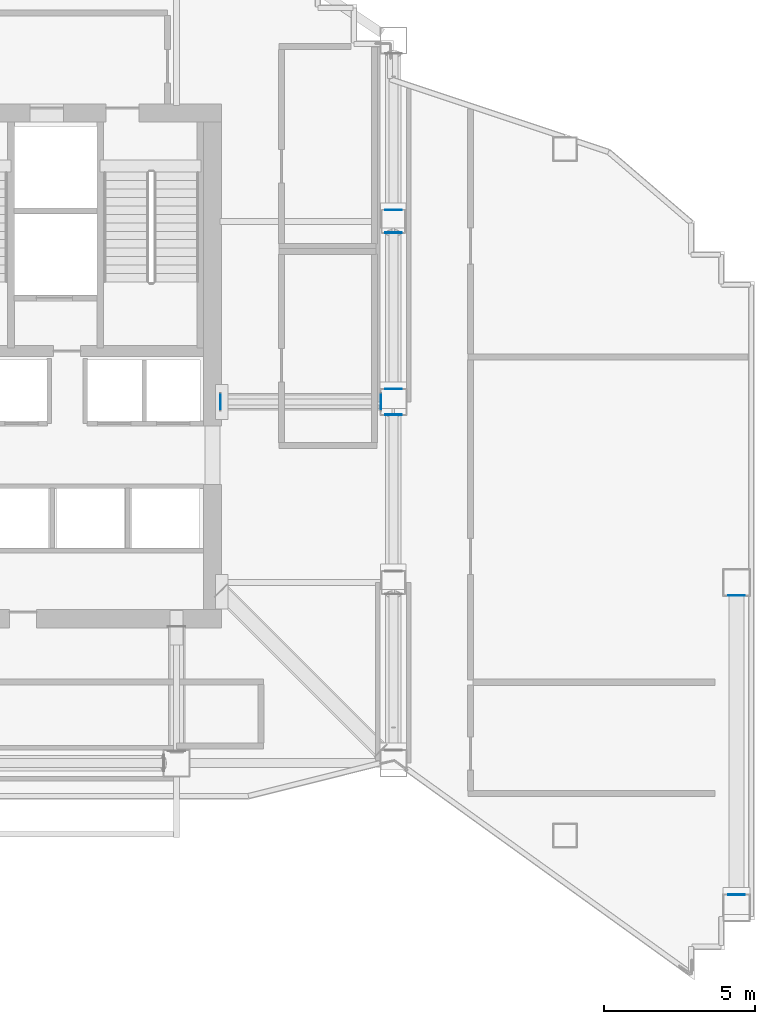
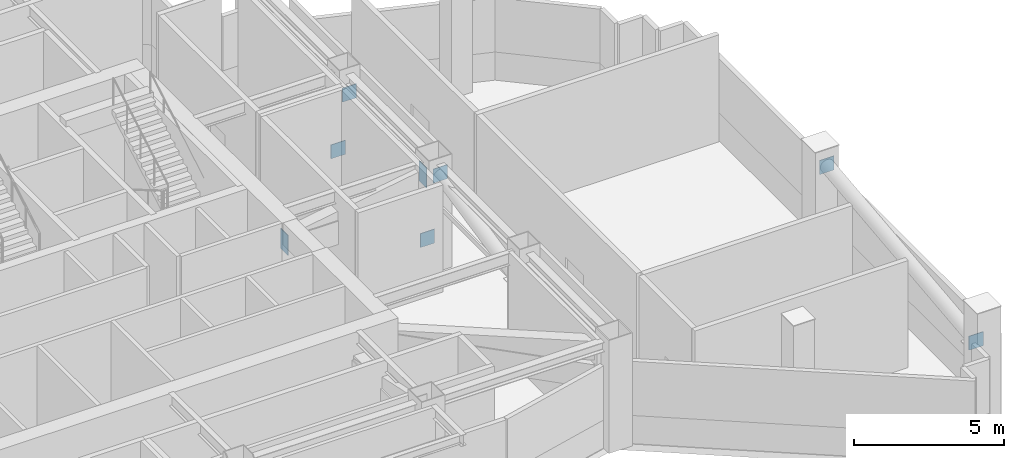
# One storey, part 10 of 19: 8 plates.
"""IFC4 building model written with IfcOpenShell, lengths in metres."""

from ifc_helpers import new_model, si_unit, direction, frame, origin, origin_2d, place, context, subcontext, project, spatial, rectangle, extrude, material, layer, layer_set, type_object, element, save


model = new_model("IFC4")

# Units and contexts
model_context = context("Model", 3, precision=1e-05, world=origin(), true_north=direction((0.0, 1.0)))
body_context = subcontext(model_context, "Body", "Model", "MODEL_VIEW")
ifc_project = project(units=[si_unit("LENGTHUNIT", "METRE"), si_unit("AREAUNIT", "SQUARE_METRE"), si_unit("VOLUMEUNIT", "CUBIC_METRE"), si_unit("PLANEANGLEUNIT", "RADIAN"), si_unit("MASSUNIT", "GRAM", prefix="KILO")], contexts=[model_context])

# Site, building, storey
site_placement = place(None, origin())
site = spatial("IfcSite", under=ifc_project, at=site_placement, CompositionType="ELEMENT")
building_placement = place(site_placement, origin())
building = spatial("IfcBuilding", under=site, at=building_placement, Name="Haolan Belvedere Tower", CompositionType="ELEMENT")
storey_placement = place(building_placement, frame((0.0, 0.0, 230.60009765625)))
storey = spatial("IfcBuildingStorey", under=building, at=storey_placement, Name="L58", CompositionType="ELEMENT", Elevation=230.60009765625)

# Plates
ifc_material = material(Name="Steel Q355B", Category="steel")
ifc_layer = layer(ifc_material, 0.02490234375, Name="Steel Q355B")
ifc_layer_set = layer_set([ifc_layer], Name="Steel Q355B")
plate_type = type_object("IfcPlateType", Name="PL-CAP-25", PredefinedType="SHEET", material=ifc_layer_set)
for number, where, z_axis, x_axis, name in (
    (1, (47.0576171875, 33.60009765625, 2.512939453125), (0.0, 0.0, 1.0), (0.0, -1.0, 0.0), "Hollow steel end-cap plate OR-E1-L58-DG-CAP0"),
    (2, (52.392333984375, 33.60009765625, 3.386962890625), (0.0, 0.0, 1.0), (0.0, 1.0, 0.0), "Hollow steel end-cap plate OR-E1-L58-DG-CAP1"),
):
    element("IfcPlate", number, at=place(storey_placement, frame(where, z_axis=z_axis, x_axis=x_axis)), inside=storey, type_object=plate_type, Name=name, PredefinedType="SHEET", context=body_context, shape_type="SweptSolid", body=[
        extrude(rectangle(XDim=0.489990234375, YDim=0.02490234375, at=origin_2d()), origin(), (0.0, 0.0, 1.0), 0.81005859375),
    ])
for number, where, z_axis, x_axis, name in (
    (3, (52.800048828125, 33.172119140625, 3.6484375), (0.0, 0.0, 1.0), (-1.0, 0.0, 0.0), "Hollow steel end-cap plate BT-E2-L58-CAP1"),
    (4, (52.800048828125, 34.029052734375, 0.509765625), (0.0, 0.0, 1.0), (1.0, 0.0, 0.0), "Hollow steel end-cap plate BT-E3-L58-CAP0"),
    (5, (52.800048828125, 39.220947265625, 3.271484375), (0.0, 0.0, 1.0), (-1.0, 0.0, 0.0), "Hollow steel end-cap plate BT-E3-L58-CAP1"),
    (6, (52.800048828125, 39.97900390625, 0.509765625), (0.0, 0.0, 1.0), (1.0, 0.0, 0.0), "Hollow steel end-cap plate BT-E4-L58-CAP0"),
    (7, (64.199951171875, 17.2275390625, 2.53466796875), (0.0, 0.0, 1.0), (1.0, 0.0, 0.0), "Hollow steel end-cap plate BT-T4-L58-CAP0"),
    (8, (64.199951171875, 27.17236328125, 3.6474609375), (0.0, 0.0, 1.0), (-1.0, 0.0, 0.0), "Hollow steel end-cap plate BT-T4-L58-CAP1"),
):
    element("IfcPlate", number, at=place(storey_placement, frame(where, z_axis=z_axis, x_axis=x_axis)), inside=storey, type_object=plate_type, Name=name, PredefinedType="SHEET", context=body_context, shape_type="SweptSolid", body=[
        extrude(rectangle(XDim=0.548095703125, YDim=0.02490234375, at=origin_2d()), origin(), (0.0, 0.0, 1.0), 0.568115234375),
    ])

save(model, "model.ifc")
